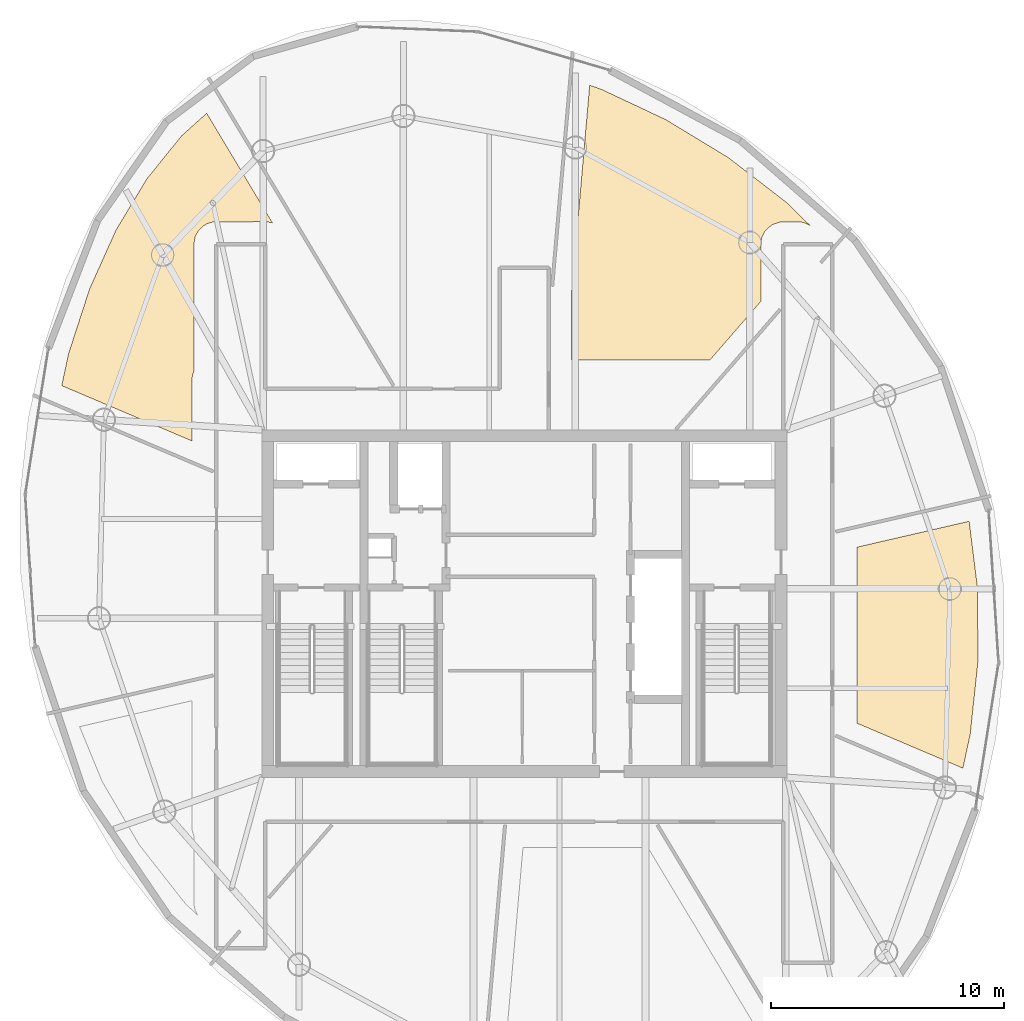
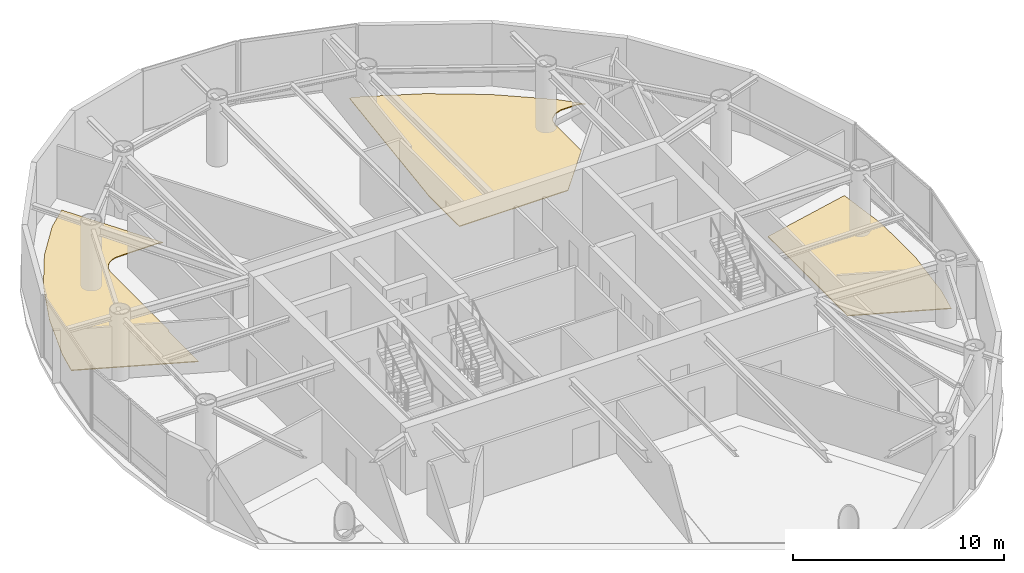
# One storey, part 18 of 18: 3 coverings.
"""IFC4 building model written with IfcOpenShell, lengths in metres."""

from ifc_helpers import new_model, si_unit, direction, frame, origin, place, context, subcontext, project, spatial, polyline, outline, extrude, material, layer, layer_set, type_object, element, save


model = new_model("IFC4")

# Units and contexts
model_context = context("Model", 3, precision=1e-05, world=origin(), true_north=direction((0.0, 1.0)))
body_context = subcontext(model_context, "Body", "Model", "MODEL_VIEW")
ifc_project = project(units=[si_unit("LENGTHUNIT", "METRE"), si_unit("AREAUNIT", "SQUARE_METRE"), si_unit("VOLUMEUNIT", "CUBIC_METRE"), si_unit("PLANEANGLEUNIT", "RADIAN"), si_unit("MASSUNIT", "GRAM", prefix="KILO")], contexts=[model_context])

# Site, building, storey
site_placement = place(None, origin())
site = spatial("IfcSite", under=ifc_project, at=site_placement, CompositionType="ELEMENT")
building_placement = place(site_placement, origin())
building = spatial("IfcBuilding", under=site, at=building_placement, Name="Bramvorn Convention Spire", CompositionType="ELEMENT")
storey_placement = place(building_placement, frame((0.0, 0.0, 288.25)))
storey = spatial("IfcBuildingStorey", under=building, at=storey_placement, Name="L73", CompositionType="ELEMENT", Elevation=288.25)

# Coverings
ifc_material = material(Name="Calcium-Sulphate Raised Access Office Floor", Category="steel")
ifc_layer = layer(ifc_material, 0.044921875)
ifc_layer_set = layer_set([ifc_layer], Name="Calcium-Sulphate Raised Access Office Floor - FLR-RAISED-45")
covering_type = type_object("IfcCoveringType", Name="FLR-RAISED-45", PredefinedType="FLOORING", material=ifc_layer_set)
covering_1_placement = place(storey_placement, origin())
element("IfcCovering", 1, at=covering_1_placement, inside=storey, type_object=covering_type, Name="L73 Design Office Studio B 2 raised floor finish", PredefinedType="FLOORING", context=body_context, shape_type="SweptSolid", body=[
    extrude(outline(polyline([(41.318359375, 48.034912109375), (40.797119140625, 48.2177734375), (40.02001953125, 39.3359375), (40.02001953125, 36.449951171875), (45.957763671875, 36.449951171875), (48.1298828125, 38.94873046875), (48.131591796875, 41.45361328125), (48.188720703125, 41.732421875), (48.324462890625, 41.982421875), (48.6064453125, 42.23486328125), (48.96337890625, 42.360107421875), (49.8427734375, 42.3603515625), (50.036376953125, 42.3125), (50.237060546875, 42.211669921875), (49.2392578125, 43.191650390625), (46.7373046875, 45.118896484375), (44.069580078125, 46.738037109375), (41.318359375, 48.034912109375)])), origin(), (0.0, 0.0, 1.0), 0.044921875),
])
covering_2_placement = place(storey_placement, origin())
element("IfcCovering", 2, at=covering_2_placement, inside=storey, type_object=covering_type, Name="L73 Client Meeting Pin-Up Room 2 4 raised floor finish", PredefinedType="FLOORING", context=body_context, shape_type="SweptSolid", body=[
    extrude(outline(polyline([(18.4609375, 36.71337890625), (18.167724609375, 35.341796875), (23.75, 32.97216796875), (23.75, 35.60009765625), (23.766357421875, 35.765869140625), (23.830078125, 35.95751953125), (23.830078125, 41.39990234375), (23.888916015625, 41.732421875), (24.017578125, 41.972900390625), (24.217529296875, 42.175537109375), (24.390625, 42.279296875), (24.65185546875, 42.3583984375), (26.89990234375, 42.3701171875), (27.20166015625, 42.321044921875), (24.38037109375, 47.0166015625), (23.30517578125, 46.05078125), (21.81103515625, 44.19970703125), (20.48876953125, 42.000244140625), (19.361328125, 39.488037109375), (18.4609375, 36.71337890625)])), origin(), (0.0, 0.0, 1.0), 0.044921875),
])
covering_3_placement = place(storey_placement, origin())
element("IfcCovering", 3, at=covering_3_placement, inside=storey, type_object=covering_type, Name="L73 Design Office Studio B 10 raised floor finish", PredefinedType="FLOORING", context=body_context, shape_type="SweptSolid", body=[
    extrude(outline(polyline([(52.25, 28.41748046875), (52.25, 20.87451171875), (56.7958984375, 18.945068359375), (57.109375, 20.41162109375), (57.438232421875, 23.51513671875), (57.421142578125, 26.67333984375), (57.061279296875, 29.5283203125), (52.25, 28.41748046875)])), origin(), (0.0, 0.0, 1.0), 0.044921875),
])

save(model, "model.ifc")
